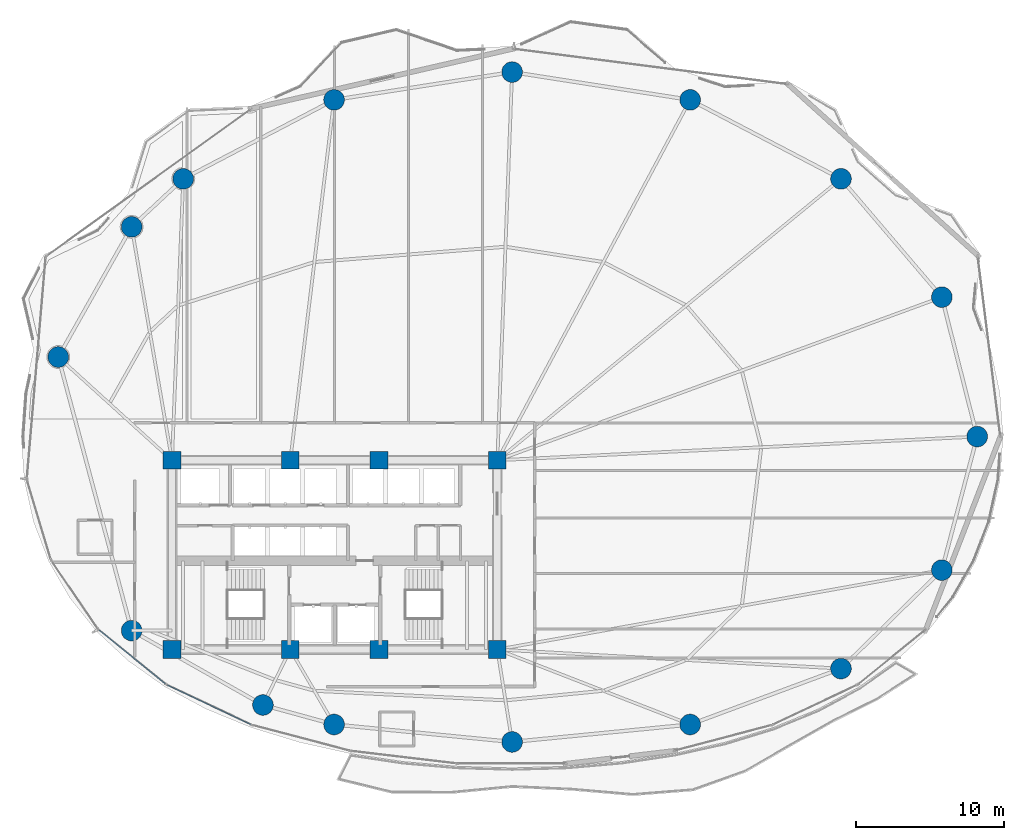
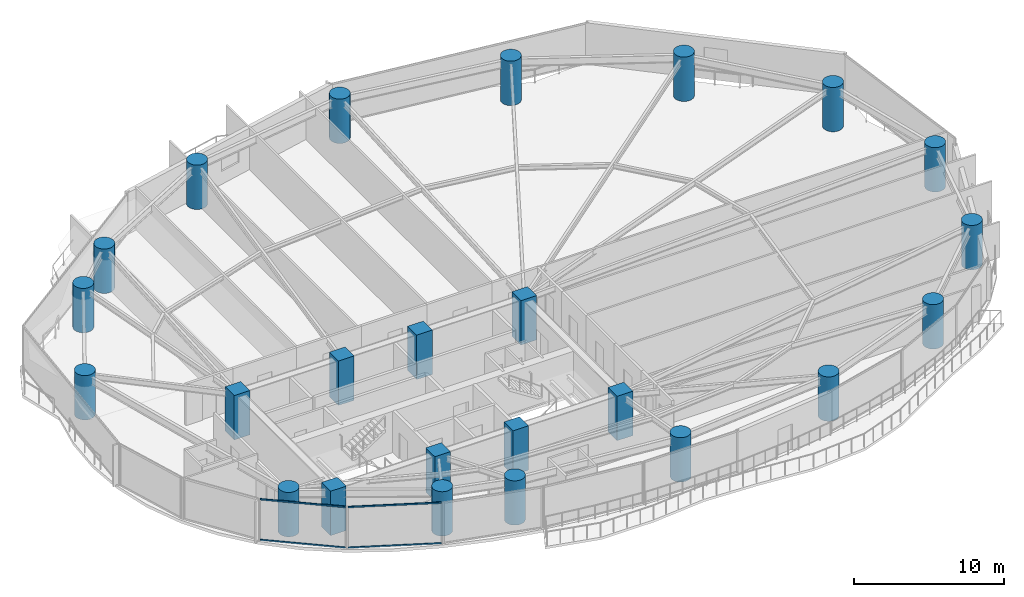
# One storey, part 1 of 30: 24 columns, 4 members, 2 elements without a shape of their own.
"""IFC4 building model written with IfcOpenShell, lengths in metres."""

from ifc_helpers import new_model, si_unit, direction, frame, origin, origin_2d, place, context, subcontext, project, spatial, rectangle, hollow_rectangle, circle, extrude, material, layer, layer_set, material_profile, profile_set, type_object, element, aggregate, save


model = new_model("IFC4")

# Units and contexts
model_context = context("Model", 3, precision=1e-05, world=origin(), true_north=direction((0.0, 1.0)))
body_context = subcontext(model_context, "Body", "Model", "MODEL_VIEW")
ifc_project = project(units=[si_unit("LENGTHUNIT", "METRE"), si_unit("AREAUNIT", "SQUARE_METRE"), si_unit("VOLUMEUNIT", "CUBIC_METRE"), si_unit("PLANEANGLEUNIT", "RADIAN"), si_unit("MASSUNIT", "GRAM", prefix="KILO")], contexts=[model_context])

# Site, building, storey
site_placement = place(None, origin())
site = spatial("IfcSite", under=ifc_project, at=site_placement, CompositionType="ELEMENT")
building_placement = place(site_placement, origin())
building = spatial("IfcBuilding", under=site, at=building_placement, Name="Kazevale Care Tower and Concert Hall", CompositionType="ELEMENT")
storey_placement = place(building_placement, frame((0.0, 0.0, 74.39990234375)))
storey = spatial("IfcBuildingStorey", under=building, at=storey_placement, Name="L19", CompositionType="ELEMENT", Elevation=74.39990234375)

# Columns
ifc_material_1 = material(Name="Concrete C70", Category="concrete")
ifc_material_profile_1 = material_profile(ifc_material_1, rectangle(XDim=1.199951171875, YDim=1.199951171875, at=origin_2d()), Name="RC-SQ1200")
ifc_profile_set_1 = profile_set([ifc_material_profile_1], Name="Concrete C70")
column_type_1 = type_object("IfcColumnType", Name="Core Column SQ1200 C70", PredefinedType="COLUMN", material=ifc_profile_set_1)
for number, where, z_axis, x_axis, name in (
    (1, (22.0, 23.60009765625, 0.0), (0.0, 0.0, 1.0), (1.0, 0.0, 0.0), "col:L19:CC-01"),
    (2, (30.0, 23.60009765625, 0.0), (0.0, 0.0, 1.0), (1.0, 0.0, 0.0), "col:L19:CC-02"),
    (3, (36.0, 23.60009765625, 0.0), (0.0, 0.0, 1.0), (1.0, 0.0, 0.0), "col:L19:CC-03"),
    (4, (44.0, 23.60009765625, 0.0), (0.0, 0.0, 1.0), (1.0, 0.0, 0.0), "col:L19:CC-04"),
    (5, (44.0, 36.39990234375, 0.0), (0.0, 0.0, 1.0), (1.0, 0.0, 0.0), "col:L19:CC-05"),
    (6, (36.0, 36.39990234375, 0.0), (0.0, 0.0, 1.0), (1.0, 0.0, 0.0), "col:L19:CC-06"),
    (7, (30.0, 36.39990234375, 0.0), (0.0, 0.0, 1.0), (1.0, 0.0, 0.0), "col:L19:CC-07"),
    (8, (22.0, 36.39990234375, 0.0), (0.0, 0.0, 1.0), (1.0, 0.0, 0.0), "col:L19:CC-08"),
):
    element("IfcColumn", number, at=place(storey_placement, frame(where, z_axis=z_axis, x_axis=x_axis)), inside=storey, type_object=column_type_1, Name=name, PredefinedType="COLUMN", context=body_context, shape_type="SweptSolid", body=[
        extrude(rectangle(XDim=1.199951171875, YDim=1.199951171875, at=origin_2d()), origin(), (0.0, 0.0, 1.0), 3.60009765625),
    ])
ifc_material_profile_2 = material_profile(ifc_material_1, circle(Radius=0.699951171875, at=origin_2d()), Name="RC-CIR1400")
ifc_profile_set_2 = profile_set([ifc_material_profile_2], Name="Concrete C70")
column_type_2 = type_object("IfcColumnType", Name="Perimeter Column CIR1400 C70", PredefinedType="COLUMN", material=ifc_profile_set_2)
for number, where, z_axis, x_axis, name in (
    (9, (76.449951171875, 38.0, 0.0), (0.0, 0.0, 1.0), (1.0, 0.0, 0.0), "col:L19:PC-01"),
    (10, (74.06005859375, 47.429931640625, 0.0), (0.0, 0.0, 1.0), (1.0, 0.0, 0.0), "col:L19:PC-02"),
    (11, (67.239990234375, 55.429931640625, 0.0), (0.0, 0.0, 1.0), (1.0, 0.0, 0.0), "col:L19:PC-03"),
    (12, (57.0400390625, 60.77001953125, 0.0), (0.0, 0.0, 1.0), (1.0, 0.0, 0.0), "col:L19:PC-04"),
    (13, (45.0, 62.64990234375, 0.0), (0.0, 0.0, 1.0), (1.0, 0.0, 0.0), "col:L19:PC-05"),
    (14, (32.9599609375, 60.77001953125, 0.0), (0.0, 0.0, 1.0), (1.0, 0.0, 0.0), "col:L19:PC-06"),
    (15, (22.760009765625, 55.429931640625, 0.0), (0.0, 0.0, 1.0), (1.0, 0.0, 0.0), "col:L19:PC-07"),
    (16, (19.27001953125, 52.179931640625, 0.0), (0.0, 0.0, 1.0), (1.0, 0.0, 0.0), "col:L19:PC-08"),
    (17, (14.31005859375, 43.3798828125, 0.0), (0.0, 0.0, 1.0), (1.0, 0.0, 0.0), "col:L19:PC-09"),
    (18, (19.27001953125, 24.8798828125, 0.0), (0.0, 0.0, 1.0), (1.0, 0.0, 0.0), "col:L19:PC-10"),
    (19, (28.14990234375, 19.85009765625, 0.0), (0.0, 0.0, 1.0), (1.0, 0.0, 0.0), "col:L19:PC-11"),
    (20, (32.9599609375, 18.530029296875, 0.0), (0.0, 0.0, 1.0), (1.0, 0.0, 0.0), "col:L19:PC-12"),
    (21, (45.0, 17.35009765625, 0.0), (0.0, 0.0, 1.0), (1.0, 0.0, 0.0), "col:L19:PC-13"),
    (22, (57.0400390625, 18.530029296875, 0.0), (0.0, 0.0, 1.0), (1.0, 0.0, 0.0), "col:L19:PC-14"),
    (23, (67.239990234375, 22.31005859375, 0.0), (0.0, 0.0, 1.0), (1.0, 0.0, 0.0), "col:L19:PC-15"),
    (24, (74.06005859375, 28.969970703125, 0.0), (0.0, 0.0, 1.0), (1.0, 0.0, 0.0), "col:L19:PC-16"),
):
    element("IfcColumn", number, at=place(storey_placement, frame(where, z_axis=z_axis, x_axis=x_axis)), inside=storey, type_object=column_type_2, Name=name, PredefinedType="COLUMN", context=body_context, shape_type="SweptSolid", body=[
        extrude(circle(Radius=0.699951171875, at=origin_2d()), origin(), (0.0, 0.0, 1.0), 3.60009765625),
    ])

# Curtain wall, members
ifc_material_2 = material(Name="Aluminium 6063-T6 and Low-E Glass", Category="aluminium")
ifc_layer = layer(ifc_material_2, 0.179931640625)
ifc_layer_set = layer_set([ifc_layer], Name="Aluminium 6063-T6 and Low-E Glass")
curtain_wall_type = type_object("IfcCurtainWallType", Name="Sheltered Concave Balcony Curtain Wall CW-5", PredefinedType="NOTDEFINED", material=ifc_layer_set)
curtain_wall_1_placement = place(storey_placement, origin())
curtain_wall_1 = element("IfcCurtainWall", 25, at=curtain_wall_1_placement, inside=storey, type_object=curtain_wall_type, Name="cw:L19:f09", PredefinedType="NOTDEFINED")
ifc_material_3 = material(Name="Aluminium 6063-T6", Category="aluminium")
ifc_material_profile_3 = material_profile(ifc_material_3, hollow_rectangle(XDim=0.074951171875, YDim=0.1201171875, WallThickness=0.00390625, at=origin_2d()), Name="ALU75x120x4")
ifc_profile_set_3 = profile_set([ifc_material_profile_3], Name="Aluminium 6063-T6")
member_type = type_object("IfcMemberType", Name="CW-5 Transom ALU75x120x4", PredefinedType="USERDEFINED", material=ifc_profile_set_3)
member_1_placement = place(storey_placement, frame((27.3291015625, 18.531005859375, 0.03759765625), z_axis=(-0.904271726847, 0.426957426479, 0.0), x_axis=(-0.426957426479, -0.904271726847, 0.0)))
member_1 = element("IfcMember", 26, at=member_1_placement, type_object=member_type, Name="CW-5 transom 1.1", ObjectType="TRANSOM", PredefinedType="USERDEFINED", context=body_context, shape_type="SweptSolid", body=[
    extrude(hollow_rectangle(XDim=0.074951171875, YDim=0.1201171875, WallThickness=0.00390625, at=origin_2d()), origin(), (0.0, 0.0, 1.0), 6.23974609375),
])
member_2_placement = place(storey_placement, frame((27.3291015625, 18.531005859375, 3.322509765625), z_axis=(-0.904271726847, 0.426957426479, 0.0), x_axis=(-0.426957426479, -0.904271726847, 0.0)))
member_2 = element("IfcMember", 27, at=member_2_placement, type_object=member_type, Name="CW-5 transom 1.2", ObjectType="TRANSOM", PredefinedType="USERDEFINED", context=body_context, shape_type="SweptSolid", body=[
    extrude(hollow_rectangle(XDim=0.074951171875, YDim=0.1201171875, WallThickness=0.00390625, at=origin_2d()), origin(), (0.0, 0.0, 1.0), 6.23974609375),
])
aggregate(curtain_wall_1, [member_1, member_2])

curtain_wall_2_placement = place(storey_placement, origin())
curtain_wall_2 = element("IfcCurtainWall", 28, at=curtain_wall_2_placement, inside=storey, type_object=curtain_wall_type, Name="cw:L19:f10", PredefinedType="NOTDEFINED")
member_3_placement = place(storey_placement, frame((21.560791015625, 21.274169921875, 0.03759765625), z_axis=(-0.77659518273, 0.629999938223, 0.0), x_axis=(-0.629999938223, -0.77659518273, 0.0)))
member_3 = element("IfcMember", 29, at=member_3_placement, type_object=member_type, Name="CW-5 transom 1.1", ObjectType="TRANSOM", PredefinedType="USERDEFINED", context=body_context, shape_type="SweptSolid", body=[
    extrude(hollow_rectangle(XDim=0.074951171875, YDim=0.1201171875, WallThickness=0.00390625, at=origin_2d()), origin(), (0.0, 0.0, 1.0), 5.770751953125),
])
member_4_placement = place(storey_placement, frame((21.560791015625, 21.274169921875, 3.322509765625), z_axis=(-0.77659518273, 0.629999938223, 0.0), x_axis=(-0.629999938223, -0.77659518273, 0.0)))
member_4 = element("IfcMember", 30, at=member_4_placement, type_object=member_type, Name="CW-5 transom 1.2", ObjectType="TRANSOM", PredefinedType="USERDEFINED", context=body_context, shape_type="SweptSolid", body=[
    extrude(hollow_rectangle(XDim=0.074951171875, YDim=0.1201171875, WallThickness=0.00390625, at=origin_2d()), origin(), (0.0, 0.0, 1.0), 5.770751953125),
])
aggregate(curtain_wall_2, [member_3, member_4])

save(model, "model.ifc")
